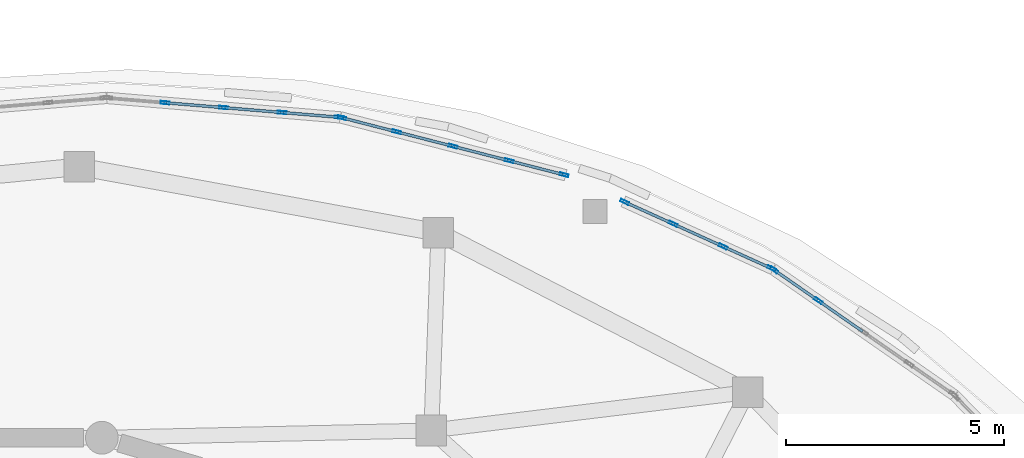
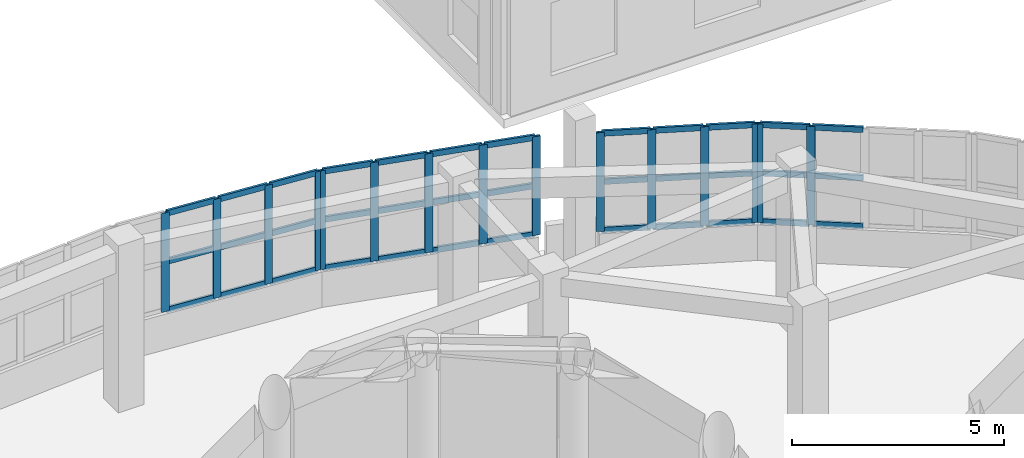
# One storey, part 46 of 98: 51 members, 4 elements without a shape of their own.
"""IFC4 building model written with IfcOpenShell, lengths in metres."""

from ifc_helpers import new_model, si_unit, direction, frame, origin, origin_2d, place, context, subcontext, project, spatial, hollow_rectangle, extrude, material, layer, layer_set, material_profile, profile_set, type_object, element, aggregate, save


model = new_model("IFC4")

# Units and contexts
model_context = context("Model", 3, precision=1e-05, world=origin(), true_north=direction((0.0, 1.0)))
body_context = subcontext(model_context, "Body", "Model", "MODEL_VIEW")
ifc_project = project(units=[si_unit("LENGTHUNIT", "METRE"), si_unit("AREAUNIT", "SQUARE_METRE"), si_unit("VOLUMEUNIT", "CUBIC_METRE"), si_unit("PLANEANGLEUNIT", "RADIAN"), si_unit("MASSUNIT", "GRAM", prefix="KILO")], contexts=[model_context])

# Site, building, storey
site_placement = place(None, origin())
site = spatial("IfcSite", under=ifc_project, at=site_placement, CompositionType="ELEMENT")
building_placement = place(site_placement, origin())
building = spatial("IfcBuilding", under=site, at=building_placement, Name="Pelvatis Terrace Science Centre", CompositionType="ELEMENT")
storey_placement = place(building_placement, frame((0.0, 0.0, 5.39990234375)))
storey = spatial("IfcBuildingStorey", under=building, at=storey_placement, Name="L01", CompositionType="ELEMENT", Elevation=5.39990234375)

# Curtain wall, members
ifc_material_1 = material(Name="Bronze-anodised aluminium and laminated glass", Category="aluminium")
ifc_layer = layer(ifc_material_1, 0.199951171875)
ifc_layer_set = layer_set([ifc_layer], Name="Bronze-anodised aluminium and laminated glass")
curtain_wall_type = type_object("IfcCurtainWallType", Name="CW-RIBBON-B", PredefinedType="NOTDEFINED", material=ifc_layer_set)
curtain_wall_1_placement = place(storey_placement, origin())
curtain_wall_1 = element("IfcCurtainWall", 1, at=curtain_wall_1_placement, inside=storey, type_object=curtain_wall_type, Name="Ribbon curtain wall CW-129 (L01)", PredefinedType="NOTDEFINED")
ifc_material_2 = material(Name="Bronze-anodised aluminium 6063-T6", Category="aluminium")
ifc_material_profile_1 = material_profile(ifc_material_2, hollow_rectangle(XDim=0.06494140625, YDim=0.199951171875, WallThickness=0.00439453125, at=origin_2d()), Name="ALU-MUL 65x200")
ifc_profile_set_1 = profile_set([ifc_material_profile_1], Name="Bronze-anodised aluminium 6063-T6")
member_type_1 = type_object("IfcMemberType", Name="CWM-65x200", PredefinedType="MULLION", material=ifc_profile_set_1)
member_1_placement = place(storey_placement, frame((127.390380859375, 101.408935546875, 1.02001953125), z_axis=(0.0, 0.0, 1.0), x_axis=(-0.570771224055, -0.82110913391, 0.0)))
member_1 = element("IfcMember", 2, at=member_1_placement, type_object=member_type_1, Name="CW-129 mullion 4", PredefinedType="MULLION", context=body_context, shape_type="SweptSolid", body=[
    extrude(hollow_rectangle(XDim=0.06494140625, YDim=0.199951171875, WallThickness=0.00439453125, at=origin_2d()), origin(), (0.0, 0.0, 1.0), 2.840087890625),
])
member_2_placement = place(storey_placement, frame((126.377197265625, 102.113037109375, 1.02001953125), z_axis=(0.0, 0.0, 1.0), x_axis=(-0.570771224055, -0.82110913391, 0.0)))
member_2 = element("IfcMember", 3, at=member_2_placement, type_object=member_type_1, Name="CW-129 mullion 5", PredefinedType="MULLION", context=body_context, shape_type="SweptSolid", body=[
    extrude(hollow_rectangle(XDim=0.06494140625, YDim=0.199951171875, WallThickness=0.00439453125, at=origin_2d()), origin(), (0.0, 0.0, 1.0), 2.840087890625),
])

curtain_wall_2_placement = place(storey_placement, origin())
curtain_wall_2 = element("IfcCurtainWall", 4, at=curtain_wall_2_placement, inside=storey, type_object=curtain_wall_type, Name="Ribbon curtain wall CW-130 (L01)", PredefinedType="NOTDEFINED")
member_3_placement = place(storey_placement, frame((126.32080078125, 102.14501953125, 1.02001953125), z_axis=(0.0, 0.0, 1.0), x_axis=(-0.412430433047, -0.910989098671, 0.0)))
member_3 = element("IfcMember", 5, at=member_3_placement, type_object=member_type_1, Name="CW-130 mullion 1", PredefinedType="MULLION", context=body_context, shape_type="SweptSolid", body=[
    extrude(hollow_rectangle(XDim=0.06494140625, YDim=0.199951171875, WallThickness=0.00439453125, at=origin_2d()), origin(), (0.0, 0.0, 1.0), 2.840087890625),
])
member_4_placement = place(storey_placement, frame((125.209716796875, 102.64794921875, 1.02001953125), z_axis=(0.0, 0.0, 1.0), x_axis=(-0.412430433047, -0.910989098671, 0.0)))
member_4 = element("IfcMember", 6, at=member_4_placement, type_object=member_type_1, Name="CW-130 mullion 2", PredefinedType="MULLION", context=body_context, shape_type="SweptSolid", body=[
    extrude(hollow_rectangle(XDim=0.06494140625, YDim=0.199951171875, WallThickness=0.00439453125, at=origin_2d()), origin(), (0.0, 0.0, 1.0), 2.840087890625),
])
member_5_placement = place(storey_placement, frame((124.0693359375, 103.16455078125, 1.02001953125), z_axis=(0.0, 0.0, 1.0), x_axis=(-0.412430433047, -0.910989098671, 0.0)))
member_5 = element("IfcMember", 7, at=member_5_placement, type_object=member_type_1, Name="CW-130 mullion 3", PredefinedType="MULLION", context=body_context, shape_type="SweptSolid", body=[
    extrude(hollow_rectangle(XDim=0.06494140625, YDim=0.199951171875, WallThickness=0.00439453125, at=origin_2d()), origin(), (0.0, 0.0, 1.0), 2.840087890625),
])
member_6_placement = place(storey_placement, frame((122.958251953125, 103.66748046875, 1.02001953125), z_axis=(0.0, 0.0, 1.0), x_axis=(-0.412430433047, -0.910989098671, 0.0)))
member_6 = element("IfcMember", 8, at=member_6_placement, type_object=member_type_1, Name="CW-130 mullion 4", PredefinedType="MULLION", context=body_context, shape_type="SweptSolid", body=[
    extrude(hollow_rectangle(XDim=0.06494140625, YDim=0.199951171875, WallThickness=0.00439453125, at=origin_2d()), origin(), (0.0, 0.0, 1.0), 2.840087890625),
])

curtain_wall_3_placement = place(storey_placement, origin())
curtain_wall_3 = element("IfcCurtainWall", 9, at=curtain_wall_3_placement, inside=storey, type_object=curtain_wall_type, Name="Ribbon curtain wall CW-131 (L01)", PredefinedType="NOTDEFINED")
member_7_placement = place(storey_placement, frame((121.5732421875, 104.288330078125, 1.02001953125), z_axis=(0.0, 0.0, 1.0), x_axis=(-0.248854534923, -0.968540871852, 0.0)))
member_7 = element("IfcMember", 10, at=member_7_placement, type_object=member_type_1, Name="CW-131 mullion 1", PredefinedType="MULLION", context=body_context, shape_type="SweptSolid", body=[
    extrude(hollow_rectangle(XDim=0.06494140625, YDim=0.199951171875, WallThickness=0.00439453125, at=origin_2d()), origin(), (0.0, 0.0, 1.0), 2.840087890625),
])
member_8_placement = place(storey_placement, frame((120.3173828125, 104.611083984375, 1.02001953125), z_axis=(0.0, 0.0, 1.0), x_axis=(-0.248854534923, -0.968540871852, 0.0)))
member_8 = element("IfcMember", 11, at=member_8_placement, type_object=member_type_1, Name="CW-131 mullion 2", PredefinedType="MULLION", context=body_context, shape_type="SweptSolid", body=[
    extrude(hollow_rectangle(XDim=0.06494140625, YDim=0.199951171875, WallThickness=0.00439453125, at=origin_2d()), origin(), (0.0, 0.0, 1.0), 2.840087890625),
])
member_9_placement = place(storey_placement, frame((119.030029296875, 104.941650390625, 1.02001953125), z_axis=(0.0, 0.0, 1.0), x_axis=(-0.248854534923, -0.968540871852, 0.0)))
member_9 = element("IfcMember", 12, at=member_9_placement, type_object=member_type_1, Name="CW-131 mullion 3", PredefinedType="MULLION", context=body_context, shape_type="SweptSolid", body=[
    extrude(hollow_rectangle(XDim=0.06494140625, YDim=0.199951171875, WallThickness=0.00439453125, at=origin_2d()), origin(), (0.0, 0.0, 1.0), 2.840087890625),
])
member_10_placement = place(storey_placement, frame((117.74267578125, 105.2724609375, 1.02001953125), z_axis=(0.0, 0.0, 1.0), x_axis=(-0.248854534923, -0.968540871852, 0.0)))
member_10 = element("IfcMember", 13, at=member_10_placement, type_object=member_type_1, Name="CW-131 mullion 4", PredefinedType="MULLION", context=body_context, shape_type="SweptSolid", body=[
    extrude(hollow_rectangle(XDim=0.06494140625, YDim=0.199951171875, WallThickness=0.00439453125, at=origin_2d()), origin(), (0.0, 0.0, 1.0), 2.840087890625),
])
member_11_placement = place(storey_placement, frame((116.486572265625, 105.59521484375, 1.02001953125), z_axis=(0.0, 0.0, 1.0), x_axis=(-0.248854534923, -0.968540871852, 0.0)))
member_11 = element("IfcMember", 14, at=member_11_placement, type_object=member_type_1, Name="CW-131 mullion 5", PredefinedType="MULLION", context=body_context, shape_type="SweptSolid", body=[
    extrude(hollow_rectangle(XDim=0.06494140625, YDim=0.199951171875, WallThickness=0.00439453125, at=origin_2d()), origin(), (0.0, 0.0, 1.0), 2.840087890625),
])

curtain_wall_4_placement = place(storey_placement, origin())
curtain_wall_4 = element("IfcCurtainWall", 15, at=curtain_wall_4_placement, inside=storey, type_object=curtain_wall_type, Name="Ribbon curtain wall CW-132 (L01)", PredefinedType="NOTDEFINED")
member_12_placement = place(storey_placement, frame((116.4228515625, 105.60595703125, 1.02001953125), z_axis=(0.0, 0.0, 1.0), x_axis=(-0.083125561645, -0.996539081522, 0.0)))
member_12 = element("IfcMember", 16, at=member_12_placement, type_object=member_type_1, Name="CW-132 mullion 1", PredefinedType="MULLION", context=body_context, shape_type="SweptSolid", body=[
    extrude(hollow_rectangle(XDim=0.06494140625, YDim=0.199951171875, WallThickness=0.00439453125, at=origin_2d()), origin(), (0.0, 0.0, 1.0), 2.840087890625),
])
member_13_placement = place(storey_placement, frame((115.116455078125, 105.715087890625, 1.02001953125), z_axis=(0.0, 0.0, 1.0), x_axis=(-0.083125561645, -0.996539081522, 0.0)))
member_13 = element("IfcMember", 17, at=member_13_placement, type_object=member_type_1, Name="CW-132 mullion 2", PredefinedType="MULLION", context=body_context, shape_type="SweptSolid", body=[
    extrude(hollow_rectangle(XDim=0.06494140625, YDim=0.199951171875, WallThickness=0.00439453125, at=origin_2d()), origin(), (0.0, 0.0, 1.0), 2.840087890625),
])
member_14_placement = place(storey_placement, frame((113.777587890625, 105.82666015625, 1.02001953125), z_axis=(0.0, 0.0, 1.0), x_axis=(-0.083125561645, -0.996539081522, 0.0)))
member_14 = element("IfcMember", 18, at=member_14_placement, type_object=member_type_1, Name="CW-132 mullion 3", PredefinedType="MULLION", context=body_context, shape_type="SweptSolid", body=[
    extrude(hollow_rectangle(XDim=0.06494140625, YDim=0.199951171875, WallThickness=0.00439453125, at=origin_2d()), origin(), (0.0, 0.0, 1.0), 2.840087890625),
])
member_15_placement = place(storey_placement, frame((112.438720703125, 105.938232421875, 1.02001953125), z_axis=(0.0, 0.0, 1.0), x_axis=(-0.083125561645, -0.996539081522, 0.0)))
member_15 = element("IfcMember", 19, at=member_15_placement, type_object=member_type_1, Name="CW-132 mullion 4", PredefinedType="MULLION", context=body_context, shape_type="SweptSolid", body=[
    extrude(hollow_rectangle(XDim=0.06494140625, YDim=0.199951171875, WallThickness=0.00439453125, at=origin_2d()), origin(), (0.0, 0.0, 1.0), 2.840087890625),
])

# Member
ifc_material_3 = material(Name="Bronze-anodised aluminium 6063-T6", Category="aluminium")
ifc_material_profile_2 = material_profile(ifc_material_3, hollow_rectangle(XDim=0.06494140625, YDim=0.159912109375, WallThickness=0.00390625, at=origin_2d()), Name="ALU-TRN 65x160")
ifc_profile_set_2 = profile_set([ifc_material_profile_2], Name="Bronze-anodised aluminium 6063-T6")
member_type_2 = type_object("IfcMemberType", Name="CWT-65x160", PredefinedType="USERDEFINED", material=ifc_profile_set_2)
member_16_placement = place(storey_placement, frame((128.403564453125, 100.70458984375, 1.052490234375), z_axis=(-0.821108085386, 0.570772732455, 0.0), x_axis=(-0.570772732455, -0.821108085386, 0.0)))
member_16 = element("IfcMember", 20, at=member_16_placement, type_object=member_type_2, Name="CW-129 transom 3.1", ObjectType="TRANSOM", PredefinedType="USERDEFINED", context=body_context, shape_type="SweptSolid", body=[
    extrude(hollow_rectangle(XDim=0.06494140625, YDim=0.159912109375, WallThickness=0.00390625, at=origin_2d()), origin(), (0.0, 0.0, 1.0), 1.201416015625),
])

member_17_placement = place(storey_placement, frame((128.403564453125, 100.70458984375, 2.440185546875), z_axis=(-0.821108085386, 0.570772732455, 0.0), x_axis=(-0.570772732455, -0.821108085386, 0.0)))
member_17 = element("IfcMember", 21, at=member_17_placement, type_object=member_type_2, Name="CW-129 transom 3.2", ObjectType="TRANSOM", PredefinedType="USERDEFINED", context=body_context, shape_type="SweptSolid", body=[
    extrude(hollow_rectangle(XDim=0.06494140625, YDim=0.159912109375, WallThickness=0.00390625, at=origin_2d()), origin(), (0.0, 0.0, 1.0), 1.201416015625),
])

member_18_placement = place(storey_placement, frame((128.403564453125, 100.70458984375, 3.82763671875), z_axis=(-0.821108085386, 0.570772732455, 0.0), x_axis=(-0.570772732455, -0.821108085386, 0.0)))
member_18 = element("IfcMember", 22, at=member_18_placement, type_object=member_type_2, Name="CW-129 transom 3.3", ObjectType="TRANSOM", PredefinedType="USERDEFINED", context=body_context, shape_type="SweptSolid", body=[
    extrude(hollow_rectangle(XDim=0.06494140625, YDim=0.159912109375, WallThickness=0.00390625, at=origin_2d()), origin(), (0.0, 0.0, 1.0), 1.201416015625),
])

member_19_placement = place(storey_placement, frame((127.363525390625, 101.427490234375, 1.052490234375), z_axis=(-0.821160581834, 0.570697204165, 0.0), x_axis=(-0.570697204165, -0.821160581834, 0.0)))
member_19 = element("IfcMember", 23, at=member_19_placement, type_object=member_type_2, Name="CW-129 transom 4.1", ObjectType="TRANSOM", PredefinedType="USERDEFINED", context=body_context, shape_type="SweptSolid", body=[
    extrude(hollow_rectangle(XDim=0.06494140625, YDim=0.159912109375, WallThickness=0.00390625, at=origin_2d()), origin(), (0.0, 0.0, 1.0), 1.168701171875),
])

member_20_placement = place(storey_placement, frame((127.363525390625, 101.427490234375, 2.440185546875), z_axis=(-0.821160581834, 0.570697204165, 0.0), x_axis=(-0.570697204165, -0.821160581834, 0.0)))
member_20 = element("IfcMember", 24, at=member_20_placement, type_object=member_type_2, Name="CW-129 transom 4.2", ObjectType="TRANSOM", PredefinedType="USERDEFINED", context=body_context, shape_type="SweptSolid", body=[
    extrude(hollow_rectangle(XDim=0.06494140625, YDim=0.159912109375, WallThickness=0.00390625, at=origin_2d()), origin(), (0.0, 0.0, 1.0), 1.168701171875),
])

member_21_placement = place(storey_placement, frame((127.363525390625, 101.427490234375, 3.82763671875), z_axis=(-0.821160581834, 0.570697204165, 0.0), x_axis=(-0.570697204165, -0.821160581834, 0.0)))
member_21 = element("IfcMember", 25, at=member_21_placement, type_object=member_type_2, Name="CW-129 transom 4.3", ObjectType="TRANSOM", PredefinedType="USERDEFINED", context=body_context, shape_type="SweptSolid", body=[
    extrude(hollow_rectangle(XDim=0.06494140625, YDim=0.159912109375, WallThickness=0.00390625, at=origin_2d()), origin(), (0.0, 0.0, 1.0), 1.168701171875),
])

aggregate(curtain_wall_1, [member_1, member_2, member_16, member_17, member_18, member_19, member_20, member_21])

member_22_placement = place(storey_placement, frame((126.291259765625, 102.158447265625, 1.052490234375), z_axis=(-0.910937688067, 0.412543971546, 0.0), x_axis=(-0.412543971546, -0.910937688067, 0.0)))
member_22 = element("IfcMember", 26, at=member_22_placement, type_object=member_type_2, Name="CW-130 transom 1.1", ObjectType="TRANSOM", PredefinedType="USERDEFINED", context=body_context, shape_type="SweptSolid", body=[
    extrude(hollow_rectangle(XDim=0.06494140625, YDim=0.159912109375, WallThickness=0.00390625, at=origin_2d()), origin(), (0.0, 0.0, 1.0), 1.154541015625),
])

member_23_placement = place(storey_placement, frame((126.291259765625, 102.158447265625, 2.440185546875), z_axis=(-0.910937688067, 0.412543971546, 0.0), x_axis=(-0.412543971546, -0.910937688067, 0.0)))
member_23 = element("IfcMember", 27, at=member_23_placement, type_object=member_type_2, Name="CW-130 transom 1.2", ObjectType="TRANSOM", PredefinedType="USERDEFINED", context=body_context, shape_type="SweptSolid", body=[
    extrude(hollow_rectangle(XDim=0.06494140625, YDim=0.159912109375, WallThickness=0.00390625, at=origin_2d()), origin(), (0.0, 0.0, 1.0), 1.154541015625),
])

member_24_placement = place(storey_placement, frame((126.291259765625, 102.158447265625, 3.82763671875), z_axis=(-0.910937688067, 0.412543971546, 0.0), x_axis=(-0.412543971546, -0.910937688067, 0.0)))
member_24 = element("IfcMember", 28, at=member_24_placement, type_object=member_type_2, Name="CW-130 transom 1.3", ObjectType="TRANSOM", PredefinedType="USERDEFINED", context=body_context, shape_type="SweptSolid", body=[
    extrude(hollow_rectangle(XDim=0.06494140625, YDim=0.159912109375, WallThickness=0.00390625, at=origin_2d()), origin(), (0.0, 0.0, 1.0), 1.154541015625),
])

member_25_placement = place(storey_placement, frame((125.18017578125, 102.661376953125, 1.052490234375), z_axis=(-0.910922096252, 0.412578398077, 0.0), x_axis=(-0.412578398077, -0.910922096252, 0.0)))
member_25 = element("IfcMember", 29, at=member_25_placement, type_object=member_type_2, Name="CW-130 transom 2.1", ObjectType="TRANSOM", PredefinedType="USERDEFINED", context=body_context, shape_type="SweptSolid", body=[
    extrude(hollow_rectangle(XDim=0.06494140625, YDim=0.159912109375, WallThickness=0.00390625, at=origin_2d()), origin(), (0.0, 0.0, 1.0), 1.18701171875),
])

member_26_placement = place(storey_placement, frame((125.18017578125, 102.661376953125, 2.440185546875), z_axis=(-0.910922096252, 0.412578398077, 0.0), x_axis=(-0.412578398077, -0.910922096252, 0.0)))
member_26 = element("IfcMember", 30, at=member_26_placement, type_object=member_type_2, Name="CW-130 transom 2.2", ObjectType="TRANSOM", PredefinedType="USERDEFINED", context=body_context, shape_type="SweptSolid", body=[
    extrude(hollow_rectangle(XDim=0.06494140625, YDim=0.159912109375, WallThickness=0.00390625, at=origin_2d()), origin(), (0.0, 0.0, 1.0), 1.18701171875),
])

member_27_placement = place(storey_placement, frame((125.18017578125, 102.661376953125, 3.82763671875), z_axis=(-0.910922096252, 0.412578398077, 0.0), x_axis=(-0.412578398077, -0.910922096252, 0.0)))
member_27 = element("IfcMember", 31, at=member_27_placement, type_object=member_type_2, Name="CW-130 transom 2.3", ObjectType="TRANSOM", PredefinedType="USERDEFINED", context=body_context, shape_type="SweptSolid", body=[
    extrude(hollow_rectangle(XDim=0.06494140625, YDim=0.159912109375, WallThickness=0.00390625, at=origin_2d()), origin(), (0.0, 0.0, 1.0), 1.18701171875),
])

member_28_placement = place(storey_placement, frame((124.03955078125, 103.177734375, 1.052490234375), z_axis=(-0.910937688067, 0.412543971546, 0.0), x_axis=(-0.412543971546, -0.910937688067, 0.0)))
member_28 = element("IfcMember", 32, at=member_28_placement, type_object=member_type_2, Name="CW-130 transom 3.1", ObjectType="TRANSOM", PredefinedType="USERDEFINED", context=body_context, shape_type="SweptSolid", body=[
    extrude(hollow_rectangle(XDim=0.06494140625, YDim=0.159912109375, WallThickness=0.00390625, at=origin_2d()), origin(), (0.0, 0.0, 1.0), 1.154541015625),
])

member_29_placement = place(storey_placement, frame((124.03955078125, 103.177734375, 2.440185546875), z_axis=(-0.910937688067, 0.412543971546, 0.0), x_axis=(-0.412543971546, -0.910937688067, 0.0)))
member_29 = element("IfcMember", 33, at=member_29_placement, type_object=member_type_2, Name="CW-130 transom 3.2", ObjectType="TRANSOM", PredefinedType="USERDEFINED", context=body_context, shape_type="SweptSolid", body=[
    extrude(hollow_rectangle(XDim=0.06494140625, YDim=0.159912109375, WallThickness=0.00390625, at=origin_2d()), origin(), (0.0, 0.0, 1.0), 1.154541015625),
])

member_30_placement = place(storey_placement, frame((124.03955078125, 103.177734375, 3.82763671875), z_axis=(-0.910937688067, 0.412543971546, 0.0), x_axis=(-0.412543971546, -0.910937688067, 0.0)))
member_30 = element("IfcMember", 34, at=member_30_placement, type_object=member_type_2, Name="CW-130 transom 3.3", ObjectType="TRANSOM", PredefinedType="USERDEFINED", context=body_context, shape_type="SweptSolid", body=[
    extrude(hollow_rectangle(XDim=0.06494140625, YDim=0.159912109375, WallThickness=0.00390625, at=origin_2d()), origin(), (0.0, 0.0, 1.0), 1.154541015625),
])

aggregate(curtain_wall_2, [member_3, member_4, member_5, member_6, member_22, member_23, member_24, member_25, member_26, member_27, member_28, member_29, member_30])

member_31_placement = place(storey_placement, frame((121.541748046875, 104.29638671875, 1.052490234375), z_axis=(-0.968559834947, 0.248780718964, 0.0), x_axis=(-0.248780718964, -0.968559834947, 0.0)))
member_31 = element("IfcMember", 35, at=member_31_placement, type_object=member_type_2, Name="CW-131 transom 1.1", ObjectType="TRANSOM", PredefinedType="USERDEFINED", context=body_context, shape_type="SweptSolid", body=[
    extrude(hollow_rectangle(XDim=0.06494140625, YDim=0.159912109375, WallThickness=0.00390625, at=origin_2d()), origin(), (0.0, 0.0, 1.0), 1.231689453125),
])

member_32_placement = place(storey_placement, frame((121.541748046875, 104.29638671875, 2.440185546875), z_axis=(-0.968559834947, 0.248780718964, 0.0), x_axis=(-0.248780718964, -0.968559834947, 0.0)))
member_32 = element("IfcMember", 36, at=member_32_placement, type_object=member_type_2, Name="CW-131 transom 1.2", ObjectType="TRANSOM", PredefinedType="USERDEFINED", context=body_context, shape_type="SweptSolid", body=[
    extrude(hollow_rectangle(XDim=0.06494140625, YDim=0.159912109375, WallThickness=0.00390625, at=origin_2d()), origin(), (0.0, 0.0, 1.0), 1.231689453125),
])

member_33_placement = place(storey_placement, frame((121.541748046875, 104.29638671875, 3.82763671875), z_axis=(-0.968559834947, 0.248780718964, 0.0), x_axis=(-0.248780718964, -0.968559834947, 0.0)))
member_33 = element("IfcMember", 37, at=member_33_placement, type_object=member_type_2, Name="CW-131 transom 1.3", ObjectType="TRANSOM", PredefinedType="USERDEFINED", context=body_context, shape_type="SweptSolid", body=[
    extrude(hollow_rectangle(XDim=0.06494140625, YDim=0.159912109375, WallThickness=0.00390625, at=origin_2d()), origin(), (0.0, 0.0, 1.0), 1.231689453125),
])

member_34_placement = place(storey_placement, frame((120.285888671875, 104.619140625, 1.052490234375), z_axis=(-0.968566092321, 0.248756356313, 0.0), x_axis=(-0.248756356313, -0.968566092321, 0.0)))
member_34 = element("IfcMember", 38, at=member_34_placement, type_object=member_type_2, Name="CW-131 transom 2.1", ObjectType="TRANSOM", PredefinedType="USERDEFINED", context=body_context, shape_type="SweptSolid", body=[
    extrude(hollow_rectangle(XDim=0.06494140625, YDim=0.159912109375, WallThickness=0.00390625, at=origin_2d()), origin(), (0.0, 0.0, 1.0), 1.26416015625),
])

member_35_placement = place(storey_placement, frame((120.285888671875, 104.619140625, 2.440185546875), z_axis=(-0.968566092321, 0.248756356313, 0.0), x_axis=(-0.248756356313, -0.968566092321, 0.0)))
member_35 = element("IfcMember", 39, at=member_35_placement, type_object=member_type_2, Name="CW-131 transom 2.2", ObjectType="TRANSOM", PredefinedType="USERDEFINED", context=body_context, shape_type="SweptSolid", body=[
    extrude(hollow_rectangle(XDim=0.06494140625, YDim=0.159912109375, WallThickness=0.00390625, at=origin_2d()), origin(), (0.0, 0.0, 1.0), 1.26416015625),
])

member_36_placement = place(storey_placement, frame((120.285888671875, 104.619140625, 3.82763671875), z_axis=(-0.968566092321, 0.248756356313, 0.0), x_axis=(-0.248756356313, -0.968566092321, 0.0)))
member_36 = element("IfcMember", 40, at=member_36_placement, type_object=member_type_2, Name="CW-131 transom 2.3", ObjectType="TRANSOM", PredefinedType="USERDEFINED", context=body_context, shape_type="SweptSolid", body=[
    extrude(hollow_rectangle(XDim=0.06494140625, YDim=0.159912109375, WallThickness=0.00390625, at=origin_2d()), origin(), (0.0, 0.0, 1.0), 1.26416015625),
])

member_37_placement = place(storey_placement, frame((118.99853515625, 104.949951171875, 1.052490234375), z_axis=(-0.968566092321, 0.248756356313, 0.0), x_axis=(-0.248756356313, -0.968566092321, 0.0)))
member_37 = element("IfcMember", 41, at=member_37_placement, type_object=member_type_2, Name="CW-131 transom 3.1", ObjectType="TRANSOM", PredefinedType="USERDEFINED", context=body_context, shape_type="SweptSolid", body=[
    extrude(hollow_rectangle(XDim=0.06494140625, YDim=0.159912109375, WallThickness=0.00390625, at=origin_2d()), origin(), (0.0, 0.0, 1.0), 1.26416015625),
])

member_38_placement = place(storey_placement, frame((118.99853515625, 104.949951171875, 2.440185546875), z_axis=(-0.968566092321, 0.248756356313, 0.0), x_axis=(-0.248756356313, -0.968566092321, 0.0)))
member_38 = element("IfcMember", 42, at=member_38_placement, type_object=member_type_2, Name="CW-131 transom 3.2", ObjectType="TRANSOM", PredefinedType="USERDEFINED", context=body_context, shape_type="SweptSolid", body=[
    extrude(hollow_rectangle(XDim=0.06494140625, YDim=0.159912109375, WallThickness=0.00390625, at=origin_2d()), origin(), (0.0, 0.0, 1.0), 1.26416015625),
])

member_39_placement = place(storey_placement, frame((118.99853515625, 104.949951171875, 3.82763671875), z_axis=(-0.968566092321, 0.248756356313, 0.0), x_axis=(-0.248756356313, -0.968566092321, 0.0)))
member_39 = element("IfcMember", 43, at=member_39_placement, type_object=member_type_2, Name="CW-131 transom 3.3", ObjectType="TRANSOM", PredefinedType="USERDEFINED", context=body_context, shape_type="SweptSolid", body=[
    extrude(hollow_rectangle(XDim=0.06494140625, YDim=0.159912109375, WallThickness=0.00390625, at=origin_2d()), origin(), (0.0, 0.0, 1.0), 1.26416015625),
])

member_40_placement = place(storey_placement, frame((117.711181640625, 105.280517578125, 1.052490234375), z_axis=(-0.968524336877, 0.248918880114, 0.0), x_axis=(-0.248918880114, -0.968524336877, 0.0)))
member_40 = element("IfcMember", 44, at=member_40_placement, type_object=member_type_2, Name="CW-131 transom 4.1", ObjectType="TRANSOM", PredefinedType="USERDEFINED", context=body_context, shape_type="SweptSolid", body=[
    extrude(hollow_rectangle(XDim=0.06494140625, YDim=0.159912109375, WallThickness=0.00390625, at=origin_2d()), origin(), (0.0, 0.0, 1.0), 1.23193359375),
])

member_41_placement = place(storey_placement, frame((117.711181640625, 105.280517578125, 2.440185546875), z_axis=(-0.968524336877, 0.248918880114, 0.0), x_axis=(-0.248918880114, -0.968524336877, 0.0)))
member_41 = element("IfcMember", 45, at=member_41_placement, type_object=member_type_2, Name="CW-131 transom 4.2", ObjectType="TRANSOM", PredefinedType="USERDEFINED", context=body_context, shape_type="SweptSolid", body=[
    extrude(hollow_rectangle(XDim=0.06494140625, YDim=0.159912109375, WallThickness=0.00390625, at=origin_2d()), origin(), (0.0, 0.0, 1.0), 1.23193359375),
])

member_42_placement = place(storey_placement, frame((117.711181640625, 105.280517578125, 3.82763671875), z_axis=(-0.968524336877, 0.248918880114, 0.0), x_axis=(-0.248918880114, -0.968524336877, 0.0)))
member_42 = element("IfcMember", 46, at=member_42_placement, type_object=member_type_2, Name="CW-131 transom 4.3", ObjectType="TRANSOM", PredefinedType="USERDEFINED", context=body_context, shape_type="SweptSolid", body=[
    extrude(hollow_rectangle(XDim=0.06494140625, YDim=0.159912109375, WallThickness=0.00390625, at=origin_2d()), origin(), (0.0, 0.0, 1.0), 1.23193359375),
])

aggregate(curtain_wall_3, [member_7, member_8, member_9, member_10, member_11, member_31, member_32, member_33, member_34, member_35, member_36, member_37, member_38, member_39, member_40, member_41, member_42])

member_43_placement = place(storey_placement, frame((116.390380859375, 105.608642578125, 1.052490234375), z_axis=(-0.996543055118, 0.083077911005, 0.0), x_axis=(-0.083077911005, -0.996543055118, 0.0)))
member_43 = element("IfcMember", 47, at=member_43_placement, type_object=member_type_2, Name="CW-132 transom 1.1", ObjectType="TRANSOM", PredefinedType="USERDEFINED", context=body_context, shape_type="SweptSolid", body=[
    extrude(hollow_rectangle(XDim=0.06494140625, YDim=0.159912109375, WallThickness=0.00390625, at=origin_2d()), origin(), (0.0, 0.0, 1.0), 1.24609375),
])

member_44_placement = place(storey_placement, frame((116.390380859375, 105.608642578125, 2.440185546875), z_axis=(-0.996543055118, 0.083077911005, 0.0), x_axis=(-0.083077911005, -0.996543055118, 0.0)))
member_44 = element("IfcMember", 48, at=member_44_placement, type_object=member_type_2, Name="CW-132 transom 1.2", ObjectType="TRANSOM", PredefinedType="USERDEFINED", context=body_context, shape_type="SweptSolid", body=[
    extrude(hollow_rectangle(XDim=0.06494140625, YDim=0.159912109375, WallThickness=0.00390625, at=origin_2d()), origin(), (0.0, 0.0, 1.0), 1.24609375),
])

member_45_placement = place(storey_placement, frame((116.390380859375, 105.608642578125, 3.82763671875), z_axis=(-0.996543055118, 0.083077911005, 0.0), x_axis=(-0.083077911005, -0.996543055118, 0.0)))
member_45 = element("IfcMember", 49, at=member_45_placement, type_object=member_type_2, Name="CW-132 transom 1.3", ObjectType="TRANSOM", PredefinedType="USERDEFINED", context=body_context, shape_type="SweptSolid", body=[
    extrude(hollow_rectangle(XDim=0.06494140625, YDim=0.159912109375, WallThickness=0.00390625, at=origin_2d()), origin(), (0.0, 0.0, 1.0), 1.24609375),
])

member_46_placement = place(storey_placement, frame((115.083984375, 105.7177734375, 1.052490234375), z_axis=(-0.996543123512, 0.083077090596, 0.0), x_axis=(-0.083077090596, -0.996543123512, 0.0)))
member_46 = element("IfcMember", 50, at=member_46_placement, type_object=member_type_2, Name="CW-132 transom 2.1", ObjectType="TRANSOM", PredefinedType="USERDEFINED", context=body_context, shape_type="SweptSolid", body=[
    extrude(hollow_rectangle(XDim=0.06494140625, YDim=0.159912109375, WallThickness=0.00390625, at=origin_2d()), origin(), (0.0, 0.0, 1.0), 1.2783203125),
])

member_47_placement = place(storey_placement, frame((115.083984375, 105.7177734375, 2.440185546875), z_axis=(-0.996543123512, 0.083077090596, 0.0), x_axis=(-0.083077090596, -0.996543123512, 0.0)))
member_47 = element("IfcMember", 51, at=member_47_placement, type_object=member_type_2, Name="CW-132 transom 2.2", ObjectType="TRANSOM", PredefinedType="USERDEFINED", context=body_context, shape_type="SweptSolid", body=[
    extrude(hollow_rectangle(XDim=0.06494140625, YDim=0.159912109375, WallThickness=0.00390625, at=origin_2d()), origin(), (0.0, 0.0, 1.0), 1.2783203125),
])

member_48_placement = place(storey_placement, frame((115.083984375, 105.7177734375, 3.82763671875), z_axis=(-0.996543123512, 0.083077090596, 0.0), x_axis=(-0.083077090596, -0.996543123512, 0.0)))
member_48 = element("IfcMember", 52, at=member_48_placement, type_object=member_type_2, Name="CW-132 transom 2.3", ObjectType="TRANSOM", PredefinedType="USERDEFINED", context=body_context, shape_type="SweptSolid", body=[
    extrude(hollow_rectangle(XDim=0.06494140625, YDim=0.159912109375, WallThickness=0.00390625, at=origin_2d()), origin(), (0.0, 0.0, 1.0), 1.2783203125),
])

member_49_placement = place(storey_placement, frame((113.7451171875, 105.829345703125, 1.052490234375), z_axis=(-0.996543123512, 0.083077090596, 0.0), x_axis=(-0.083077090596, -0.996543123512, 0.0)))
member_49 = element("IfcMember", 53, at=member_49_placement, type_object=member_type_2, Name="CW-132 transom 3.1", ObjectType="TRANSOM", PredefinedType="USERDEFINED", context=body_context, shape_type="SweptSolid", body=[
    extrude(hollow_rectangle(XDim=0.06494140625, YDim=0.159912109375, WallThickness=0.00390625, at=origin_2d()), origin(), (0.0, 0.0, 1.0), 1.2783203125),
])

member_50_placement = place(storey_placement, frame((113.7451171875, 105.829345703125, 2.440185546875), z_axis=(-0.996543123512, 0.083077090596, 0.0), x_axis=(-0.083077090596, -0.996543123512, 0.0)))
member_50 = element("IfcMember", 54, at=member_50_placement, type_object=member_type_2, Name="CW-132 transom 3.2", ObjectType="TRANSOM", PredefinedType="USERDEFINED", context=body_context, shape_type="SweptSolid", body=[
    extrude(hollow_rectangle(XDim=0.06494140625, YDim=0.159912109375, WallThickness=0.00390625, at=origin_2d()), origin(), (0.0, 0.0, 1.0), 1.2783203125),
])

member_51_placement = place(storey_placement, frame((113.7451171875, 105.829345703125, 3.82763671875), z_axis=(-0.996543123512, 0.083077090596, 0.0), x_axis=(-0.083077090596, -0.996543123512, 0.0)))
member_51 = element("IfcMember", 55, at=member_51_placement, type_object=member_type_2, Name="CW-132 transom 3.3", ObjectType="TRANSOM", PredefinedType="USERDEFINED", context=body_context, shape_type="SweptSolid", body=[
    extrude(hollow_rectangle(XDim=0.06494140625, YDim=0.159912109375, WallThickness=0.00390625, at=origin_2d()), origin(), (0.0, 0.0, 1.0), 1.2783203125),
])

aggregate(curtain_wall_4, [member_12, member_13, member_14, member_15, member_43, member_44, member_45, member_46, member_47, member_48, member_49, member_50, member_51])

save(model, "model.ifc")
